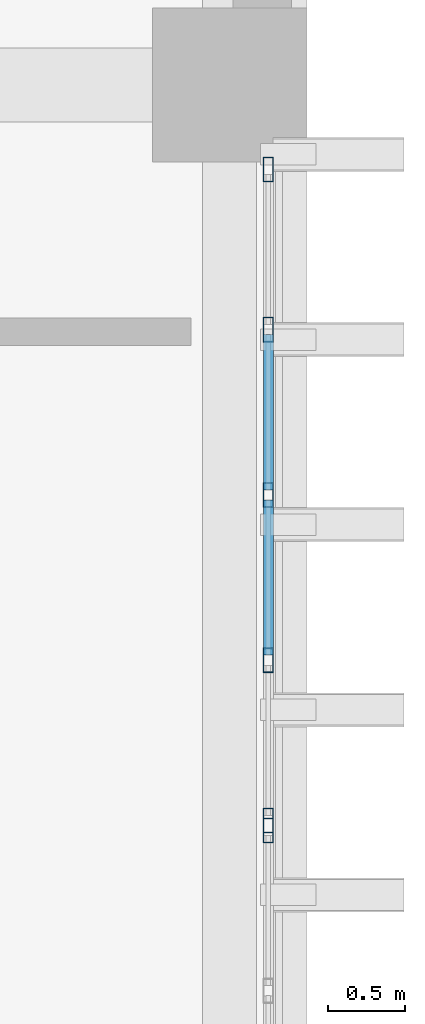
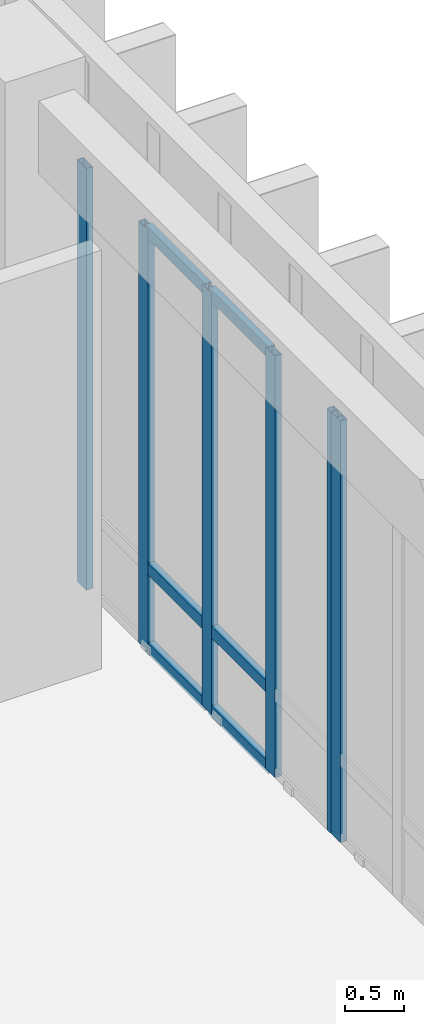
# One storey, part 71 of 134: 12 members, 2 elements without a shape of their own.
"""IFC4 building model written with IfcOpenShell, lengths in metres."""

from ifc_helpers import new_model, si_unit, direction, frame, origin, origin_2d, place, context, subcontext, project, spatial, hollow_rectangle, extrude, material, layer, layer_set, material_profile, profile_set, type_object, element, aggregate, save


model = new_model("IFC4")

# Units and contexts
model_context = context("Model", 3, precision=1e-05, world=origin(), true_north=direction((0.0, 1.0)))
body_context = subcontext(model_context, "Body", "Model", "MODEL_VIEW")
ifc_project = project(units=[si_unit("LENGTHUNIT", "METRE"), si_unit("AREAUNIT", "SQUARE_METRE"), si_unit("VOLUMEUNIT", "CUBIC_METRE"), si_unit("PLANEANGLEUNIT", "RADIAN"), si_unit("MASSUNIT", "GRAM", prefix="KILO")], contexts=[model_context])

# Site, building, storey
site_placement = place(None, origin())
site = spatial("IfcSite", under=ifc_project, at=site_placement, CompositionType="ELEMENT")
building_placement = place(site_placement, origin())
building = spatial("IfcBuilding", under=site, at=building_placement, Name="Nakhvara Creek Congress Hotel", CompositionType="ELEMENT")
storey_placement = place(building_placement, frame((0.0, 0.0, 6.0)))
storey = spatial("IfcBuildingStorey", under=building, at=storey_placement, Name="L01", CompositionType="ELEMENT", Elevation=6.0)

# Curtain wall, member
ifc_material_1 = material(Name="Bronze-anodised aluminium AW-6063-T6 and double-silver low-E glass", Category="aluminium")
ifc_layer = layer(ifc_material_1, 0.199951171875)
ifc_layer_set = layer_set([ifc_layer], Name="Bronze-anodised aluminium AW-6063-T6 and double-silver low-E glass")
curtain_wall_type = type_object("IfcCurtainWallType", Name="CW-HTL-UNIT", PredefinedType="USERDEFINED", material=ifc_layer_set)
curtain_wall_1_placement = place(storey_placement, origin())
curtain_wall_1 = element("IfcCurtainWall", 1, at=curtain_wall_1_placement, inside=storey, type_object=curtain_wall_type, Name="Curtain Wall CW114", ObjectType="UNITISED", PredefinedType="USERDEFINED")
ifc_material_2 = material(Name="Bronze-anodised aluminium AW-6063-T6", Category="aluminium")
ifc_material_profile_1 = material_profile(ifc_material_2, hollow_rectangle(XDim=0.06494140625, YDim=0.159912109375, WallThickness=0.00390625, at=origin_2d()), Name="ALU-MULL 65x160x4", Category="LoadBearing")
ifc_profile_set_1 = profile_set([ifc_material_profile_1], Name="Bronze-anodised aluminium AW-6063-T6")
member_type_1 = type_object("IfcMemberType", Name="CW-MULL-160", PredefinedType="MULLION", material=ifc_profile_set_1)
member_1_placement = place(storey_placement, frame((179.60009765625, 62.367431640625, 0.0), z_axis=(0.0, 0.0, 1.0), x_axis=(1.0, 0.0, 0.0)))
member_1 = element("IfcMember", 2, at=member_1_placement, type_object=member_type_1, Name="CW114 mullion 1", PredefinedType="MULLION", context=body_context, shape_type="SweptSolid", body=[
    extrude(hollow_rectangle(XDim=0.06494140625, YDim=0.159912109375, WallThickness=0.00390625, at=origin_2d()), origin(), (0.0, 0.0, 1.0), 4.342041015625),
])
aggregate(curtain_wall_1, [member_1])

# Curtain wall, members
curtain_wall_2_placement = place(storey_placement, origin())
curtain_wall_2 = element("IfcCurtainWall", 3, at=curtain_wall_2_placement, inside=storey, type_object=curtain_wall_type, Name="Curtain Wall CW115", ObjectType="UNITISED", PredefinedType="USERDEFINED")
member_2_placement = place(storey_placement, frame((179.60009765625, 66.652587890625, 0.0), z_axis=(0.0, 0.0, 1.0), x_axis=(1.0, 0.0, 0.0)))
member_2 = element("IfcMember", 4, at=member_2_placement, type_object=member_type_1, Name="CW115 mullion 1", PredefinedType="MULLION", context=body_context, shape_type="SweptSolid", body=[
    extrude(hollow_rectangle(XDim=0.06494140625, YDim=0.159912109375, WallThickness=0.00390625, at=origin_2d()), origin(), (0.0, 0.0, 1.0), 4.342041015625),
])
member_3_placement = place(storey_placement, frame((179.60009765625, 65.61376953125, 0.0), z_axis=(0.0, 0.0, 1.0), x_axis=(1.0, 0.0, 0.0)))
member_3 = element("IfcMember", 5, at=member_3_placement, type_object=member_type_1, Name="CW115 mullion 2", PredefinedType="MULLION", context=body_context, shape_type="SweptSolid", body=[
    extrude(hollow_rectangle(XDim=0.06494140625, YDim=0.159912109375, WallThickness=0.00390625, at=origin_2d()), origin(), (0.0, 0.0, 1.0), 4.342041015625),
])
member_4_placement = place(storey_placement, frame((179.60009765625, 64.54248046875, 0.0), z_axis=(0.0, 0.0, 1.0), x_axis=(1.0, 0.0, 0.0)))
member_4 = element("IfcMember", 6, at=member_4_placement, type_object=member_type_1, Name="CW115 mullion 3", PredefinedType="MULLION", context=body_context, shape_type="SweptSolid", body=[
    extrude(hollow_rectangle(XDim=0.06494140625, YDim=0.159912109375, WallThickness=0.00390625, at=origin_2d()), origin(), (0.0, 0.0, 1.0), 4.342041015625),
])
member_5_placement = place(storey_placement, frame((179.60009765625, 63.47119140625, 0.0), z_axis=(0.0, 0.0, 1.0), x_axis=(1.0, 0.0, 0.0)))
member_5 = element("IfcMember", 7, at=member_5_placement, type_object=member_type_1, Name="CW115 mullion 4", PredefinedType="MULLION", context=body_context, shape_type="SweptSolid", body=[
    extrude(hollow_rectangle(XDim=0.06494140625, YDim=0.159912109375, WallThickness=0.00390625, at=origin_2d()), origin(), (0.0, 0.0, 1.0), 4.342041015625),
])
member_6_placement = place(storey_placement, frame((179.60009765625, 62.4326171875, 0.0), z_axis=(0.0, 0.0, 1.0), x_axis=(1.0, 0.0, 0.0)))
member_6 = element("IfcMember", 8, at=member_6_placement, type_object=member_type_1, Name="CW115 mullion 5", PredefinedType="MULLION", context=body_context, shape_type="SweptSolid", body=[
    extrude(hollow_rectangle(XDim=0.06494140625, YDim=0.159912109375, WallThickness=0.00390625, at=origin_2d()), origin(), (0.0, 0.0, 1.0), 4.342041015625),
])
ifc_material_profile_2 = material_profile(ifc_material_2, hollow_rectangle(XDim=0.06494140625, YDim=0.1201171875, WallThickness=0.00390625, at=origin_2d()), Name="ALU-TRAN 65x120x4", Category="LoadBearing")
ifc_profile_set_2 = profile_set([ifc_material_profile_2], Name="Bronze-anodised aluminium AW-6063-T6")
member_type_2 = type_object("IfcMemberType", Name="CW-TRAN-120", PredefinedType="USERDEFINED", material=ifc_profile_set_2)
member_7_placement = place(storey_placement, frame((179.60009765625, 65.581298828125, 0.032470703125), z_axis=(0.0, -1.0, 0.0), x_axis=(1.0, 0.0, 0.0)))
member_7 = element("IfcMember", 9, at=member_7_placement, type_object=member_type_2, Name="CW115 transom 2.1", ObjectType="TRANSOM", PredefinedType="USERDEFINED", context=body_context, shape_type="SweptSolid", body=[
    extrude(hollow_rectangle(XDim=0.06494140625, YDim=0.1201171875, WallThickness=0.00390625, at=origin_2d()), origin(), (0.0, 0.0, 1.0), 1.00634765625),
])
member_8_placement = place(storey_placement, frame((179.60009765625, 65.581298828125, 0.85009765625), z_axis=(0.0, -1.0, 0.0), x_axis=(1.0, 0.0, 0.0)))
member_8 = element("IfcMember", 10, at=member_8_placement, type_object=member_type_2, Name="CW115 transom 2.2", ObjectType="TRANSOM", PredefinedType="USERDEFINED", context=body_context, shape_type="SweptSolid", body=[
    extrude(hollow_rectangle(XDim=0.06494140625, YDim=0.1201171875, WallThickness=0.00390625, at=origin_2d()), origin(), (0.0, 0.0, 1.0), 1.00634765625),
])
member_9_placement = place(storey_placement, frame((179.60009765625, 65.581298828125, 4.3095703125), z_axis=(0.0, -1.0, 0.0), x_axis=(1.0, 0.0, 0.0)))
member_9 = element("IfcMember", 11, at=member_9_placement, type_object=member_type_2, Name="CW115 transom 2.3", ObjectType="TRANSOM", PredefinedType="USERDEFINED", context=body_context, shape_type="SweptSolid", body=[
    extrude(hollow_rectangle(XDim=0.06494140625, YDim=0.1201171875, WallThickness=0.00390625, at=origin_2d()), origin(), (0.0, 0.0, 1.0), 1.00634765625),
])
member_10_placement = place(storey_placement, frame((179.60009765625, 64.510009765625, 0.032470703125), z_axis=(0.0, -1.0, 0.0), x_axis=(1.0, 0.0, 0.0)))
member_10 = element("IfcMember", 12, at=member_10_placement, type_object=member_type_2, Name="CW115 transom 3.1", ObjectType="TRANSOM", PredefinedType="USERDEFINED", context=body_context, shape_type="SweptSolid", body=[
    extrude(hollow_rectangle(XDim=0.06494140625, YDim=0.1201171875, WallThickness=0.00390625, at=origin_2d()), origin(), (0.0, 0.0, 1.0), 1.00634765625),
])
member_11_placement = place(storey_placement, frame((179.60009765625, 64.510009765625, 0.85009765625), z_axis=(0.0, -1.0, 0.0), x_axis=(1.0, 0.0, 0.0)))
member_11 = element("IfcMember", 13, at=member_11_placement, type_object=member_type_2, Name="CW115 transom 3.2", ObjectType="TRANSOM", PredefinedType="USERDEFINED", context=body_context, shape_type="SweptSolid", body=[
    extrude(hollow_rectangle(XDim=0.06494140625, YDim=0.1201171875, WallThickness=0.00390625, at=origin_2d()), origin(), (0.0, 0.0, 1.0), 1.00634765625),
])
member_12_placement = place(storey_placement, frame((179.60009765625, 64.510009765625, 4.3095703125), z_axis=(0.0, -1.0, 0.0), x_axis=(1.0, 0.0, 0.0)))
member_12 = element("IfcMember", 14, at=member_12_placement, type_object=member_type_2, Name="CW115 transom 3.3", ObjectType="TRANSOM", PredefinedType="USERDEFINED", context=body_context, shape_type="SweptSolid", body=[
    extrude(hollow_rectangle(XDim=0.06494140625, YDim=0.1201171875, WallThickness=0.00390625, at=origin_2d()), origin(), (0.0, 0.0, 1.0), 1.00634765625),
])
aggregate(curtain_wall_2, [member_2, member_3, member_4, member_5, member_6, member_7, member_8, member_9, member_10, member_11, member_12])

save(model, "model.ifc")
